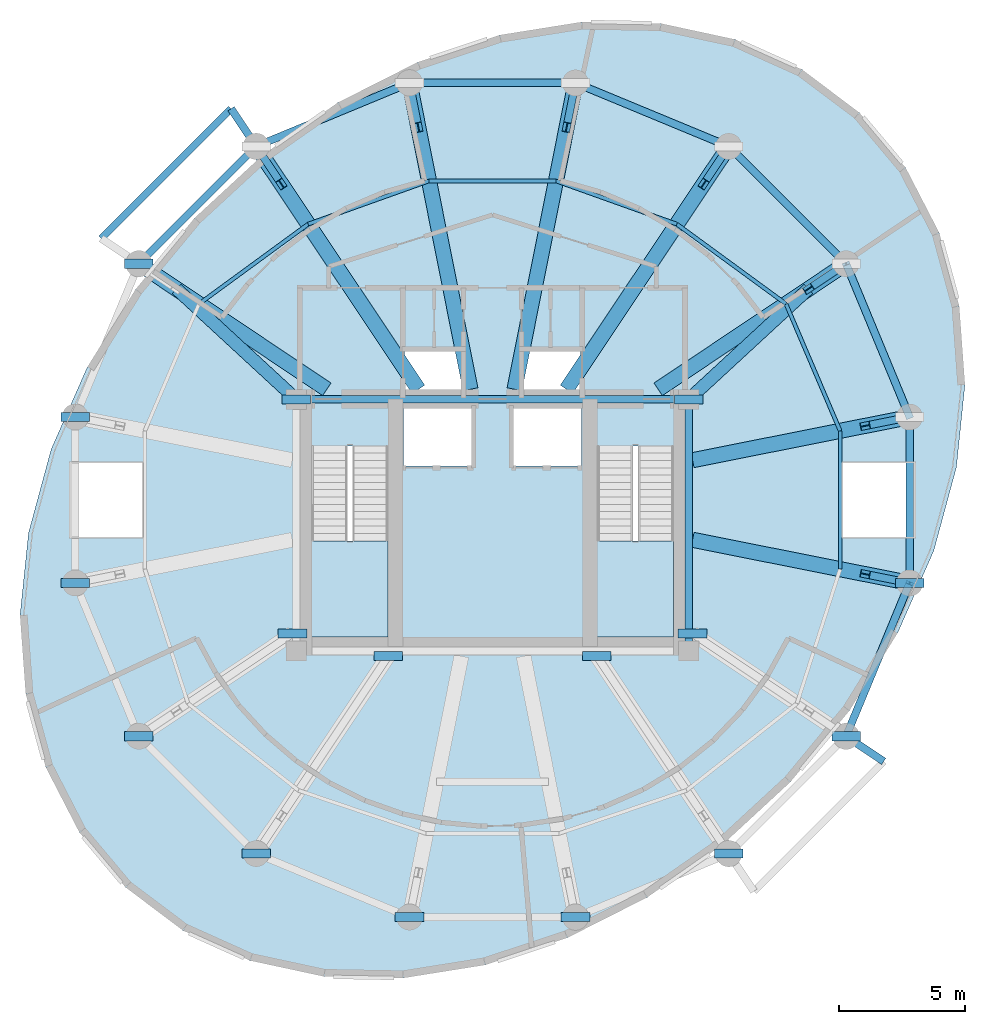
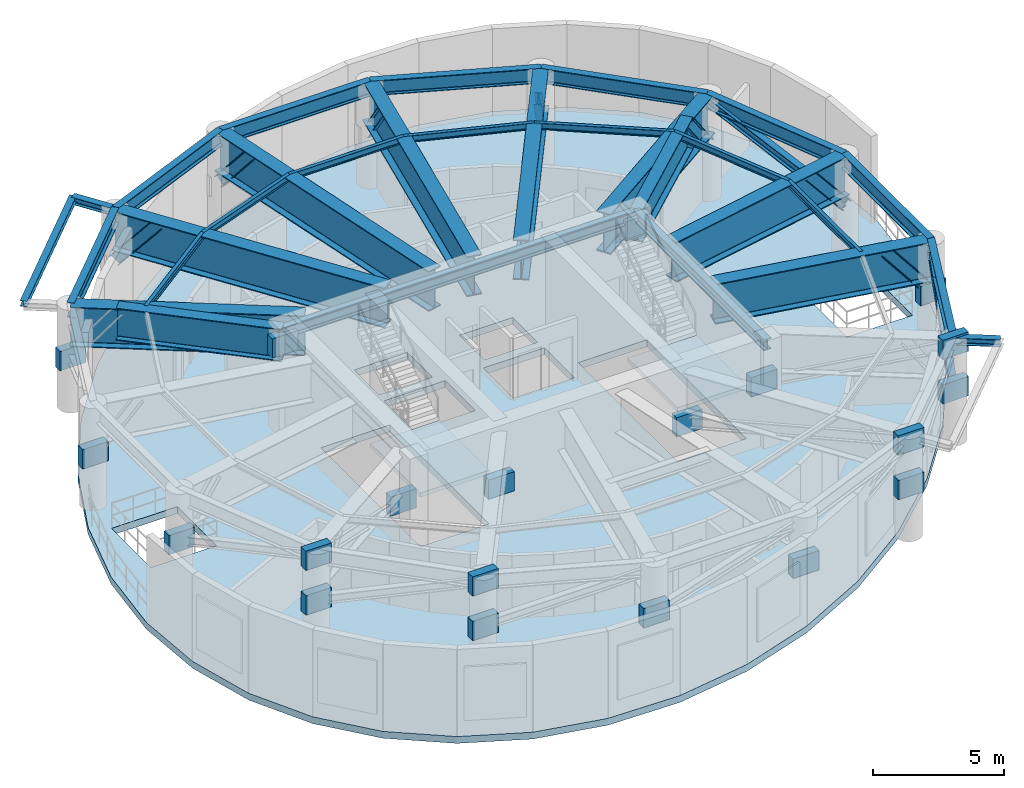
# One storey, part 2 of 7: 30 beams, 20 plates, 9 members, 3 slabs, 2 elements without a shape of their own.
"""IFC4 building model written with IfcOpenShell, lengths in metres."""

from ifc_helpers import new_model, si_unit, direction, frame, origin, origin_2d, place, context, subcontext, project, spatial, polyline, rectangle, i_section, outline, extrude, material, layer, layer_set, material_profile, profile_set, type_object, element, aggregate, save


model = new_model("IFC4")

# Units and contexts
model_context = context("Model", 3, precision=1e-05, world=origin(), true_north=direction((0.0, 1.0)))
body_context = subcontext(model_context, "Body", "Model", "MODEL_VIEW")
ifc_project = project(units=[si_unit("LENGTHUNIT", "METRE"), si_unit("AREAUNIT", "SQUARE_METRE"), si_unit("VOLUMEUNIT", "CUBIC_METRE"), si_unit("PLANEANGLEUNIT", "RADIAN"), si_unit("MASSUNIT", "GRAM", prefix="KILO"), si_unit("THERMODYNAMICTEMPERATUREUNIT", "KELVIN"), si_unit("POWERUNIT", "WATT")], contexts=[model_context])

# Site, building, storey
site_placement = place(None, origin())
site = spatial("IfcSite", under=ifc_project, at=site_placement, CompositionType="ELEMENT")
building_placement = place(site_placement, origin())
building = spatial("IfcBuilding", under=site, at=building_placement, Name="Ocrelia Relay Tower", CompositionType="ELEMENT")
storey_placement = place(building_placement, frame((0.0, 0.0, 225.39990234375)))
storey = spatial("IfcBuildingStorey", under=building, at=storey_placement, Name="L55", CompositionType="ELEMENT", Elevation=225.39990234375)

# Beams
ifc_material_1 = material(Name="Steel S355", Category="steel")
ifc_material_profile_1 = material_profile(ifc_material_1, i_section(OverallWidth=0.280029296875, OverallDepth=0.27001953125, WebThickness=0.008056640625, FlangeThickness=0.012939453125, FilletRadius=0.02392578125, at=origin_2d()), Name="HEA 280")
ifc_profile_set_1 = profile_set([ifc_material_profile_1], Name="Steel S355")
beam_type_1 = type_object("IfcBeamType", Name="BM-HEA280", PredefinedType="BEAM", material=ifc_profile_set_1)
beam_1_placement = place(storey_placement, frame((23.61083984375, 41.54833984375, 4.64501953125), z_axis=(-0.707106781187, -0.707106781187, 0.0), x_axis=(0.707106781187, -0.707106781187, 0.0)))
element("IfcBeam", 1, at=beam_1_placement, inside=storey, type_object=beam_type_1, Name="L56 Balcony Edge Trimmer Beam B1", PredefinedType="BEAM", context=body_context, shape_type="SweptSolid", body=[
    extrude(i_section(OverallWidth=0.280029296875, OverallDepth=0.27001953125, WebThickness=0.008056640625, FlangeThickness=0.012939453125, FilletRadius=0.02392578125, at=origin_2d()), origin(), (0.0, 0.0, 1.0), 7.296142578125),
])
ifc_material_profile_2 = material_profile(ifc_material_1, i_section(OverallWidth=0.300048828125, OverallDepth=0.330078125, WebThickness=0.009521484375, FlangeThickness=0.0166015625, FilletRadius=0.027099609375, at=origin_2d()), Name="HEA 340")
ifc_profile_set_2 = profile_set([ifc_material_profile_2], Name="Steel S355")
beam_type_2 = type_object("IfcBeamType", Name="BM-HEA340", PredefinedType="BEAM", material=ifc_profile_set_2)
for number, where, z_axis, x_axis, name in (
    (2, (24.61083984375, 40.0517578125, 4.614990234375), (-0.555576323502, 0.83146554274, 0.0), (-0.83146554274, -0.555576323502, 0.0), "L56 Balcony Cantilever Beam B1-1"),
    (3, (48.0517578125, 16.61083984375, 4.614990234375), (0.83146554274, -0.555576323502, 0.0), (0.555576323502, 0.83146554274, 0.0), "L56 Balcony Cantilever Beam B2-2"),
):
    element("IfcBeam", number, at=place(storey_placement, frame(where, z_axis=z_axis, x_axis=x_axis)), inside=storey, type_object=beam_type_2, Name=name, PredefinedType="BEAM", context=body_context, shape_type="SweptSolid", body=[
        extrude(i_section(OverallWidth=0.300048828125, OverallDepth=0.330078125, WebThickness=0.009521484375, FlangeThickness=0.0166015625, FilletRadius=0.027099609375, at=origin_2d()), origin(), (0.0, 0.0, 1.0), 1.800048828125),
    ])
ifc_material_profile_3 = material_profile(ifc_material_1, i_section(OverallWidth=0.300048828125, OverallDepth=0.5, WebThickness=0.014404296875, FlangeThickness=0.028076171875, FilletRadius=0.027099609375, at=origin_2d()), Name="HEB 500")
ifc_profile_set_3 = profile_set([ifc_material_profile_3], Name="Steel S355")
beam_type_3 = type_object("IfcBeamType", Name="BM-HEB500", PredefinedType="BEAM", material=ifc_profile_set_3)
beam_2_placement = place(storey_placement, frame((26.199951171875, 30.0, 4.530029296875), z_axis=(1.0, 0.0, 0.0), x_axis=(0.0, 1.0, 0.0)))
element("IfcBeam", 4, at=beam_2_placement, inside=storey, type_object=beam_type_3, Name="L55 Core Pilaster Tie Beam N", PredefinedType="BEAM", context=body_context, shape_type="SweptSolid", body=[
    extrude(i_section(OverallWidth=0.300048828125, OverallDepth=0.5, WebThickness=0.014404296875, FlangeThickness=0.028076171875, FilletRadius=0.027099609375, at=origin_2d()), origin(), (0.0, 0.0, 1.0), 15.60009765625),
])
beam_3_placement = place(storey_placement, frame((41.800048828125, 20.0, 4.530029296875), z_axis=(0.0, 1.0, 0.0), x_axis=(-1.0, 0.0, 0.0)))
element("IfcBeam", 5, at=beam_3_placement, inside=storey, type_object=beam_type_3, Name="L55 Core Pilaster Tie Beam E", PredefinedType="BEAM", context=body_context, shape_type="SweptSolid", body=[
    extrude(i_section(OverallWidth=0.300048828125, OverallDepth=0.5, WebThickness=0.014404296875, FlangeThickness=0.028076171875, FilletRadius=0.027099609375, at=origin_2d()), origin(), (0.0, 0.0, 1.0), 10.0),
])
ifc_material_profile_4 = material_profile(ifc_material_1, i_section(OverallWidth=0.300048828125, OverallDepth=0.699951171875, WebThickness=0.01708984375, FlangeThickness=0.031982421875, FilletRadius=0.027099609375, at=origin_2d()), Name="HEB 700")
ifc_profile_set_4 = profile_set([ifc_material_profile_4], Name="Steel S355")
beam_type_4 = type_object("IfcBeamType", Name="BM-HEB700", PredefinedType="BEAM", material=ifc_profile_set_4)
for number, where, z_axis, x_axis, name in (
    (6, (50.5751953125, 29.297119140625, 4.43017578125), (-0.382687508402, 0.923877844151, 0.0), (-0.923877844151, -0.382687508402, 0.0), "L55 Perimeter Spandrel Beam S01"),
    (7, (48.0517578125, 35.38916015625, 4.43017578125), (-0.707106781187, 0.707106781187, 0.0), (-0.707106781187, -0.707106781187, 0.0), "L55 Perimeter Spandrel Beam S02"),
    (8, (43.38916015625, 40.0517578125, 4.43017578125), (-0.923877844151, 0.382687508402, 0.0), (-0.382687508402, -0.923877844151, 0.0), "L55 Perimeter Spandrel Beam S03"),
):
    element("IfcBeam", number, at=place(storey_placement, frame(where, z_axis=z_axis, x_axis=x_axis)), inside=storey, type_object=beam_type_4, Name=name, PredefinedType="BEAM", context=body_context, shape_type="SweptSolid", body=[
        extrude(i_section(OverallWidth=0.300048828125, OverallDepth=0.699951171875, WebThickness=0.01708984375, FlangeThickness=0.031982421875, FilletRadius=0.027099609375, at=origin_2d()), origin(), (0.0, 0.0, 1.0), 6.593994140625),
    ])
beam_4_placement = place(storey_placement, frame((37.297119140625, 42.5751953125, 4.43017578125), z_axis=(-1.0, 0.0, 0.0), x_axis=(0.0, -1.0, 0.0)))
element("IfcBeam", 9, at=beam_4_placement, inside=storey, type_object=beam_type_4, Name="L55 Perimeter Spandrel Beam S04", PredefinedType="BEAM", context=body_context, shape_type="SweptSolid", body=[
    extrude(i_section(OverallWidth=0.300048828125, OverallDepth=0.699951171875, WebThickness=0.01708984375, FlangeThickness=0.031982421875, FilletRadius=0.027099609375, at=origin_2d()), origin(), (0.0, 0.0, 1.0), 6.59423828125),
])
for number, where, z_axis, x_axis, name in (
    (10, (30.702880859375, 42.5751953125, 4.43017578125), (-0.923877844151, -0.382687508402, 0.0), (0.382687508402, -0.923877844151, 0.0), "L55 Perimeter Spandrel Beam S05"),
    (11, (24.61083984375, 40.0517578125, 4.43017578125), (-0.707106781187, -0.707106781187, 0.0), (0.707106781187, -0.707106781187, 0.0), "L55 Perimeter Spandrel Beam S06"),
    (12, (48.0517578125, 16.61083984375, 4.43017578125), (0.382687508402, 0.923877844151, 0.0), (-0.923877844151, 0.382687508402, 0.0), "L55 Perimeter Spandrel Beam S15"),
):
    element("IfcBeam", number, at=place(storey_placement, frame(where, z_axis=z_axis, x_axis=x_axis)), inside=storey, type_object=beam_type_4, Name=name, PredefinedType="BEAM", context=body_context, shape_type="SweptSolid", body=[
        extrude(i_section(OverallWidth=0.300048828125, OverallDepth=0.699951171875, WebThickness=0.01708984375, FlangeThickness=0.031982421875, FilletRadius=0.027099609375, at=origin_2d()), origin(), (0.0, 0.0, 1.0), 6.593994140625),
    ])
beam_5_placement = place(storey_placement, frame((50.5751953125, 22.702880859375, 4.43017578125), z_axis=(0.0, 1.0, 0.0), x_axis=(-1.0, 0.0, 0.0)))
element("IfcBeam", 13, at=beam_5_placement, inside=storey, type_object=beam_type_4, Name="L55 Perimeter Spandrel Beam S16", PredefinedType="BEAM", context=body_context, shape_type="SweptSolid", body=[
    extrude(i_section(OverallWidth=0.300048828125, OverallDepth=0.699951171875, WebThickness=0.01708984375, FlangeThickness=0.031982421875, FilletRadius=0.027099609375, at=origin_2d()), origin(), (0.0, 0.0, 1.0), 6.59423828125),
])
ifc_material_profile_5 = material_profile(ifc_material_1, i_section(OverallWidth=0.14990234375, OverallDepth=0.300048828125, WebThickness=0.007080078125, FlangeThickness=0.0107421875, FilletRadius=0.014892578125, at=origin_2d()), Name="IPE 300")
ifc_profile_set_5 = profile_set([ifc_material_profile_5], Name="Steel S355")
beam_type_5 = type_object("IfcBeamType", Name="BM-IPE300", PredefinedType="JOIST", material=ifc_profile_set_5)
beam_6_placement = place(storey_placement, frame((47.815185546875, 28.748046875, 4.630126953125), z_axis=(-0.392484377372, 0.919758671347, 0.0), x_axis=(-0.919758671347, -0.392484377372, 0.0)))
element("IfcBeam", 14, at=beam_6_placement, inside=storey, type_object=beam_type_5, Name="L55 Secondary Floor Joist J01", PredefinedType="JOIST", context=body_context, shape_type="SweptSolid", body=[
    extrude(i_section(OverallWidth=0.14990234375, OverallDepth=0.300048828125, WebThickness=0.007080078125, FlangeThickness=0.0107421875, FilletRadius=0.014892578125, at=origin_2d()), origin(), (0.0, 0.0, 1.0), 5.484619140625),
])
beam_7_placement = place(storey_placement, frame((45.66259765625, 33.79248046875, 4.630126953125), z_axis=(-0.807285369017, 0.590161277085, 0.0), x_axis=(-0.590161277085, -0.807285369017, 0.0)))
element("IfcBeam", 15, at=beam_7_placement, inside=storey, type_object=beam_type_5, Name="L55 Secondary Floor Joist J02", PredefinedType="JOIST", context=body_context, shape_type="SweptSolid", body=[
    extrude(i_section(OverallWidth=0.14990234375, OverallDepth=0.300048828125, WebThickness=0.007080078125, FlangeThickness=0.0107421875, FilletRadius=0.014892578125, at=origin_2d()), origin(), (0.0, 0.0, 1.0), 5.37255859375),
])
beam_8_placement = place(storey_placement, frame((41.325439453125, 36.963134765625, 4.630126953125), z_axis=(-0.941708337696, 0.336430389106, 0.0), x_axis=(-0.336430389106, -0.941708337696, 0.0)))
element("IfcBeam", 16, at=beam_8_placement, inside=storey, type_object=beam_type_5, Name="L55 Secondary Floor Joist J03", PredefinedType="JOIST", context=body_context, shape_type="SweptSolid", body=[
    extrude(i_section(OverallWidth=0.14990234375, OverallDepth=0.300048828125, WebThickness=0.007080078125, FlangeThickness=0.0107421875, FilletRadius=0.014892578125, at=origin_2d()), origin(), (0.0, 0.0, 1.0), 5.100830078125),
])
beam_9_placement = place(storey_placement, frame((36.52197265625, 38.67919921875, 4.630126953125), z_axis=(-1.0, 0.0, 0.0), x_axis=(0.0, -1.0, 0.0)))
element("IfcBeam", 17, at=beam_9_placement, inside=storey, type_object=beam_type_5, Name="L55 Secondary Floor Joist J04", PredefinedType="JOIST", context=body_context, shape_type="SweptSolid", body=[
    extrude(i_section(OverallWidth=0.14990234375, OverallDepth=0.300048828125, WebThickness=0.007080078125, FlangeThickness=0.0107421875, FilletRadius=0.014892578125, at=origin_2d()), origin(), (0.0, 0.0, 1.0), 5.0439453125),
])
beam_10_placement = place(storey_placement, frame((31.47802734375, 38.67919921875, 4.630126953125), z_axis=(-0.941708337696, -0.336430389106, 0.0), x_axis=(0.336430389106, -0.941708337696, 0.0)))
element("IfcBeam", 18, at=beam_10_placement, inside=storey, type_object=beam_type_5, Name="L55 Secondary Floor Joist J05", PredefinedType="JOIST", context=body_context, shape_type="SweptSolid", body=[
    extrude(i_section(OverallWidth=0.14990234375, OverallDepth=0.300048828125, WebThickness=0.007080078125, FlangeThickness=0.0107421875, FilletRadius=0.014892578125, at=origin_2d()), origin(), (0.0, 0.0, 1.0), 5.100830078125),
])
beam_11_placement = place(storey_placement, frame((26.674560546875, 36.963134765625, 4.630126953125), z_axis=(-0.807285369017, -0.590161277085, 0.0), x_axis=(0.590161277085, -0.807285369017, 0.0)))
element("IfcBeam", 19, at=beam_11_placement, inside=storey, type_object=beam_type_5, Name="L55 Secondary Floor Joist J06", PredefinedType="JOIST", context=body_context, shape_type="SweptSolid", body=[
    extrude(i_section(OverallWidth=0.14990234375, OverallDepth=0.300048828125, WebThickness=0.007080078125, FlangeThickness=0.0107421875, FilletRadius=0.014892578125, at=origin_2d()), origin(), (0.0, 0.0, 1.0), 5.37255859375),
])
beam_12_placement = place(storey_placement, frame((47.815185546875, 23.251953125, 4.630126953125), z_axis=(0.0, 1.0, 0.0), x_axis=(-1.0, 0.0, 0.0)))
element("IfcBeam", 20, at=beam_12_placement, inside=storey, type_object=beam_type_5, Name="L55 Secondary Floor Joist J16", PredefinedType="JOIST", context=body_context, shape_type="SweptSolid", body=[
    extrude(i_section(OverallWidth=0.14990234375, OverallDepth=0.300048828125, WebThickness=0.007080078125, FlangeThickness=0.0107421875, FilletRadius=0.014892578125, at=origin_2d()), origin(), (0.0, 0.0, 1.0), 5.49609375),
])
ifc_material_profile_6 = material_profile(ifc_material_1, i_section(OverallWidth=0.5, OverallDepth=1.5, WebThickness=0.02587890625, FlangeThickness=0.0380859375, FilletRadius=0.02001953125, at=origin_2d()), Name="WPG 1500x500")
ifc_profile_set_6 = profile_set([ifc_material_profile_6], Name="Steel S355")
beam_type_6 = type_object("IfcBeamType", Name="BM-WPG1500", PredefinedType="T_BEAM", material=ifc_profile_set_6)
for number, where, z_axis, x_axis, name in (
    (21, (46.55517578125, 34.38916015625, 4.030029296875), (-0.734817908666, -0.678264433023, 0.0), (0.678264433023, -0.734817908666, 0.0), "L55 Zone Setback Core Link Girder XL02"),
    (22, (21.44482421875, 34.38916015625, 4.030029296875), (0.734817908666, -0.678264433023, 0.0), (0.678264433023, 0.734817908666, 0.0), "L55 Zone Setback Core Link Girder XL07"),
):
    element("IfcBeam", number, at=place(storey_placement, frame(where, z_axis=z_axis, x_axis=x_axis)), inside=storey, type_object=beam_type_6, Name=name, PredefinedType="T_BEAM", context=body_context, shape_type="SweptSolid", body=[
        extrude(i_section(OverallWidth=0.5, OverallDepth=1.5, WebThickness=0.02587890625, FlangeThickness=0.0380859375, FilletRadius=0.02001953125, at=origin_2d()), origin(), (0.0, 0.0, 1.0), 6.47119140625),
    ])
ifc_material_profile_7 = material_profile(ifc_material_1, i_section(OverallWidth=0.60009765625, OverallDepth=1.85009765625, WebThickness=0.028076171875, FlangeThickness=0.0400390625, FilletRadius=0.02001953125, at=origin_2d()), Name="WPG 1850x600")
ifc_profile_set_7 = profile_set([ifc_material_profile_7], Name="Steel S355")
beam_type_7 = type_object("IfcBeamType", Name="BM-WPG1650", PredefinedType="T_BEAM", material=ifc_profile_set_7)
beam_13_placement = place(storey_placement, frame((50.5751953125, 29.297119140625, 3.85498046875), z_axis=(-0.980781960461, -0.19510701175, 0.0), x_axis=(0.19510701175, -0.980781960461, 0.0)))
element("IfcBeam", 23, at=beam_13_placement, inside=storey, type_object=beam_type_7, Name="L55 Radial Transfer Girder R01", PredefinedType="T_BEAM", context=body_context, shape_type="SweptSolid", body=[
    extrude(i_section(OverallWidth=0.60009765625, OverallDepth=1.85009765625, WebThickness=0.028076171875, FlangeThickness=0.0400390625, FilletRadius=0.02001953125, at=origin_2d()), origin(), (0.0, 0.0, 1.0), 8.794189453125),
])
beam_14_placement = place(storey_placement, frame((48.0517578125, 35.38916015625, 3.85498046875), z_axis=(-0.831455888957, -0.555590770909, 0.0), x_axis=(0.555590770909, -0.831455888957, 0.0)))
element("IfcBeam", 24, at=beam_14_placement, inside=storey, type_object=beam_type_7, Name="L55 Radial Transfer Girder R02", PredefinedType="T_BEAM", context=body_context, shape_type="SweptSolid", body=[
    extrude(i_section(OverallWidth=0.60009765625, OverallDepth=1.85009765625, WebThickness=0.028076171875, FlangeThickness=0.0400390625, FilletRadius=0.02001953125, at=origin_2d()), origin(), (0.0, 0.0, 1.0), 8.97998046875),
])
beam_15_placement = place(storey_placement, frame((43.38916015625, 40.0517578125, 3.85498046875), z_axis=(-0.555573515129, -0.831467419258, 0.0), x_axis=(0.831467419258, -0.555573515129, 0.0)))
element("IfcBeam", 25, at=beam_15_placement, inside=storey, type_object=beam_type_7, Name="L55 Radial Transfer Girder R03", PredefinedType="T_BEAM", context=body_context, shape_type="SweptSolid", body=[
    extrude(i_section(OverallWidth=0.60009765625, OverallDepth=1.85009765625, WebThickness=0.028076171875, FlangeThickness=0.0400390625, FilletRadius=0.02001953125, at=origin_2d()), origin(), (0.0, 0.0, 1.0), 11.608154296875),
])
for number, where, z_axis, x_axis, name in (
    (26, (37.297119140625, 42.5751953125, 3.85498046875), (-0.195094866923, -0.980784376354, 0.0), (0.980784376354, -0.195094866923, 0.0), "L55 Radial Transfer Girder R04"),
    (27, (30.702880859375, 42.5751953125, 3.85498046875), (0.195094866923, -0.980784376354, 0.0), (0.980784376354, 0.195094866923, 0.0), "L55 Radial Transfer Girder R05"),
):
    element("IfcBeam", number, at=place(storey_placement, frame(where, z_axis=z_axis, x_axis=x_axis)), inside=storey, type_object=beam_type_7, Name=name, PredefinedType="T_BEAM", context=body_context, shape_type="SweptSolid", body=[
        extrude(i_section(OverallWidth=0.60009765625, OverallDepth=1.85009765625, WebThickness=0.028076171875, FlangeThickness=0.0400390625, FilletRadius=0.02001953125, at=origin_2d()), origin(), (0.0, 0.0, 1.0), 12.413818359375),
    ])
beam_16_placement = place(storey_placement, frame((24.61083984375, 40.0517578125, 3.85498046875), z_axis=(0.555573515129, -0.831467419258, 0.0), x_axis=(0.831467419258, 0.555573515129, 0.0)))
element("IfcBeam", 28, at=beam_16_placement, inside=storey, type_object=beam_type_7, Name="L55 Radial Transfer Girder R06", PredefinedType="T_BEAM", context=body_context, shape_type="SweptSolid", body=[
    extrude(i_section(OverallWidth=0.60009765625, OverallDepth=1.85009765625, WebThickness=0.028076171875, FlangeThickness=0.0400390625, FilletRadius=0.02001953125, at=origin_2d()), origin(), (0.0, 0.0, 1.0), 11.608154296875),
])
beam_17_placement = place(storey_placement, frame((19.9482421875, 35.38916015625, 3.85498046875), z_axis=(0.831455888957, -0.555590770909, 0.0), x_axis=(0.555590770909, 0.831455888957, 0.0)))
element("IfcBeam", 29, at=beam_17_placement, inside=storey, type_object=beam_type_7, Name="L55 Radial Transfer Girder R07", PredefinedType="T_BEAM", context=body_context, shape_type="SweptSolid", body=[
    extrude(i_section(OverallWidth=0.60009765625, OverallDepth=1.85009765625, WebThickness=0.028076171875, FlangeThickness=0.0400390625, FilletRadius=0.02001953125, at=origin_2d()), origin(), (0.0, 0.0, 1.0), 8.97998046875),
])
beam_18_placement = place(storey_placement, frame((50.5751953125, 22.702880859375, 3.85498046875), z_axis=(-0.980781960461, 0.19510701175, 0.0), x_axis=(-0.19510701175, -0.980781960461, 0.0)))
element("IfcBeam", 30, at=beam_18_placement, inside=storey, type_object=beam_type_7, Name="L55 Radial Transfer Girder R16", PredefinedType="T_BEAM", context=body_context, shape_type="SweptSolid", body=[
    extrude(i_section(OverallWidth=0.60009765625, OverallDepth=1.85009765625, WebThickness=0.028076171875, FlangeThickness=0.0400390625, FilletRadius=0.02001953125, at=origin_2d()), origin(), (0.0, 0.0, 1.0), 8.794189453125),
])

# Members
ifc_material_profile_8 = material_profile(ifc_material_1, i_section(OverallWidth=0.300048828125, OverallDepth=0.39990234375, WebThickness=0.013427734375, FlangeThickness=0.02392578125, FilletRadius=0.027099609375, at=origin_2d()), Name="HEB 400")
ifc_profile_set_8 = profile_set([ifc_material_profile_8], Name="Steel S355")
member_type_1 = type_object("IfcMemberType", Name="MB-BELT-DIAG", PredefinedType="BRACE", material=ifc_profile_set_8)
for number, where, z_axis, x_axis, name in (
    (31, (50.5751953125, 29.297119140625, 2.35009765625), (-0.364959668918, 0.881079587704, 0.300837497986), (-0.923877844151, -0.382687508402, 0.0), "L55 Perimeter Belt Truss Diagonal B01"),
    (32, (48.0517578125, 16.61083984375, 2.35009765625), (0.364959668918, 0.881079587704, 0.300837497986), (-0.923877844151, 0.382687508402, 0.0), "L55 Perimeter Belt Truss Diagonal B15"),
):
    element("IfcMember", number, at=place(storey_placement, frame(where, z_axis=z_axis, x_axis=x_axis)), inside=storey, type_object=member_type_1, Name=name, PredefinedType="BRACE", context=body_context, shape_type="SweptSolid", body=[
        extrude(i_section(OverallWidth=0.300048828125, OverallDepth=0.39990234375, WebThickness=0.013427734375, FlangeThickness=0.02392578125, FilletRadius=0.027099609375, at=origin_2d()), origin(), (0.0, 0.0, 1.0), 6.914306640625),
    ])
ifc_material_profile_9 = material_profile(ifc_material_1, i_section(OverallWidth=0.300048828125, OverallDepth=0.5, WebThickness=0.014404296875, FlangeThickness=0.028076171875, FilletRadius=0.027099609375, at=origin_2d()), Name="HEB 500")
ifc_profile_set_9 = profile_set([ifc_material_profile_9], Name="Steel S355")
member_type_2 = type_object("IfcMemberType", Name="MB-RAKER-STRUT", PredefinedType="STRUT", material=ifc_profile_set_9)
member_1_placement = place(storey_placement, frame((50.5751953125, 29.297119140625, 2.35009765625), z_axis=(-0.624464945514, -0.124271201299, 0.771103235859), x_axis=(0.19517704197, -0.980768026746, 0.0)))
element("IfcMember", 33, at=member_1_placement, inside=storey, type_object=member_type_2, Name="L55 Zone Setback Raker Strut RS01", PredefinedType="STRUT", context=body_context, shape_type="SweptSolid", body=[
    extrude(i_section(OverallWidth=0.300048828125, OverallDepth=0.5, WebThickness=0.014404296875, FlangeThickness=0.028076171875, FilletRadius=0.027099609375, at=origin_2d()), origin(), (0.0, 0.0, 1.0), 2.8271484375),
])
for number, where, z_axis, x_axis, name in (
    (34, (48.0517578125, 35.38916015625, 2.35009765625), (-0.529391056498, -0.353733404146, 0.771114640044), (0.555576323502, -0.83146554274, 0.0), "L55 Zone Setback Raker Strut RS02"),
    (35, (43.38916015625, 40.0517578125, 2.35009765625), (-0.353733404146, -0.529391056498, 0.771114640044), (0.83146554274, -0.555576323502, 0.0), "L55 Zone Setback Raker Strut RS03"),
):
    element("IfcMember", number, at=place(storey_placement, frame(where, z_axis=z_axis, x_axis=x_axis)), inside=storey, type_object=member_type_2, Name=name, PredefinedType="STRUT", context=body_context, shape_type="SweptSolid", body=[
        extrude(i_section(OverallWidth=0.300048828125, OverallDepth=0.5, WebThickness=0.014404296875, FlangeThickness=0.028076171875, FilletRadius=0.027099609375, at=origin_2d()), origin(), (0.0, 0.0, 1.0), 2.826904296875),
    ])
for number, where, z_axis, x_axis, name in (
    (36, (37.297119140625, 42.5751953125, 2.35009765625), (-0.124271201299, -0.624464945514, 0.771103235859), (0.980768026746, -0.19517704197, 0.0), "L55 Zone Setback Raker Strut RS04"),
    (37, (30.702880859375, 42.5751953125, 2.35009765625), (0.124271201299, -0.624464945514, 0.771103235859), (0.980768026746, 0.19517704197, 0.0), "L55 Zone Setback Raker Strut RS05"),
):
    element("IfcMember", number, at=place(storey_placement, frame(where, z_axis=z_axis, x_axis=x_axis)), inside=storey, type_object=member_type_2, Name=name, PredefinedType="STRUT", context=body_context, shape_type="SweptSolid", body=[
        extrude(i_section(OverallWidth=0.300048828125, OverallDepth=0.5, WebThickness=0.014404296875, FlangeThickness=0.028076171875, FilletRadius=0.027099609375, at=origin_2d()), origin(), (0.0, 0.0, 1.0), 2.8271484375),
    ])
member_2_placement = place(storey_placement, frame((24.61083984375, 40.0517578125, 2.35009765625), z_axis=(0.353733404146, -0.529391056498, 0.771114640044), x_axis=(0.83146554274, 0.555576323502, 0.0)))
element("IfcMember", 38, at=member_2_placement, inside=storey, type_object=member_type_2, Name="L55 Zone Setback Raker Strut RS06", PredefinedType="STRUT", context=body_context, shape_type="SweptSolid", body=[
    extrude(i_section(OverallWidth=0.300048828125, OverallDepth=0.5, WebThickness=0.014404296875, FlangeThickness=0.028076171875, FilletRadius=0.027099609375, at=origin_2d()), origin(), (0.0, 0.0, 1.0), 2.826904296875),
])
member_3_placement = place(storey_placement, frame((50.5751953125, 22.702880859375, 2.35009765625), z_axis=(-0.624464945514, 0.124271201299, 0.771103235859), x_axis=(-0.19517704197, -0.980768026746, 0.0)))
element("IfcMember", 39, at=member_3_placement, inside=storey, type_object=member_type_2, Name="L55 Zone Setback Raker Strut RS16", PredefinedType="STRUT", context=body_context, shape_type="SweptSolid", body=[
    extrude(i_section(OverallWidth=0.300048828125, OverallDepth=0.5, WebThickness=0.014404296875, FlangeThickness=0.028076171875, FilletRadius=0.027099609375, at=origin_2d()), origin(), (0.0, 0.0, 1.0), 2.8271484375),
])

# Plates
ifc_layer_1 = layer(ifc_material_1, 0.035888671875, Name="Steel S355")
ifc_layer_set_1 = layer_set([ifc_layer_1], Name="Steel S355")
plate_type = type_object("IfcPlateType", Name="PL-NODE-ND-06", PredefinedType="USERDEFINED", material=ifc_layer_set_1)
for number, where, z_axis, x_axis, name in (
    (40, (41.800048828125, 30.0, 3.580078125), (0.0, 0.0, 1.0), (1.0, 0.0, 0.0), "L55 Core Link Cast-In Wall Plate ND-06 (02)"),
    (41, (26.199951171875, 30.0, 3.580078125), (0.0, 0.0, 1.0), (1.0, 0.0, 0.0), "L55 Core Link Cast-In Wall Plate ND-06 (07)"),
    (42, (19.9482421875, 16.61083984375, 3.980224609375), (0.0, 0.0, 1.0), (1.0, 0.0, 0.0), "L55 Outrigger Gusset Node ND-06 (10)"),
    (43, (26.050048828125, 20.68798828125, 1.900146484375), (0.0, 0.0, 1.0), (1.0, 0.0, 0.0), "L55 Outrigger Core Embed Node ND-06 (10)"),
    (44, (24.61083984375, 11.9482421875, 3.980224609375), (0.0, 0.0, 1.0), (1.0, 0.0, 0.0), "L55 Outrigger Gusset Node ND-06 (11)"),
    (45, (29.857421875, 19.800048828125, 1.900146484375), (0.0, 0.0, 1.0), (1.0, 0.0, 0.0), "L55 Outrigger Core Embed Node ND-06 (11)"),
    (46, (43.38916015625, 11.9482421875, 3.980224609375), (0.0, 0.0, 1.0), (1.0, 0.0, 0.0), "L55 Outrigger Gusset Node ND-06 (14)"),
    (47, (38.142578125, 19.800048828125, 1.900146484375), (0.0, 0.0, 1.0), (1.0, 0.0, 0.0), "L55 Outrigger Core Embed Node ND-06 (14)"),
    (48, (48.0517578125, 16.61083984375, 3.980224609375), (0.0, 0.0, 1.0), (1.0, 0.0, 0.0), "L55 Outrigger Gusset Node ND-06 (15)"),
    (49, (41.949951171875, 20.68798828125, 1.900146484375), (0.0, 0.0, 1.0), (1.0, 0.0, 0.0), "L55 Outrigger Core Embed Node ND-06 (15)"),
    (50, (19.9482421875, 35.38916015625, 1.900146484375), (0.0, 0.0, 1.0), (1.0, 0.0, 0.0), "L55 Setback Raker Lower Node ND-06 (07)"),
    (51, (17.4248046875, 29.297119140625, 1.900146484375), (0.0, 0.0, 1.0), (1.0, 0.0, 0.0), "L55 Setback Raker Lower Node ND-06 (08)"),
    (52, (17.4248046875, 22.702880859375, 1.900146484375), (0.0, 0.0, 1.0), (1.0, 0.0, 0.0), "L55 Setback Raker Lower Node ND-06 (09)"),
    (53, (19.9482421875, 16.61083984375, 1.900146484375), (0.0, 0.0, 1.0), (1.0, 0.0, 0.0), "L55 Setback Raker Lower Node ND-06 (10)"),
    (54, (24.61083984375, 11.9482421875, 1.900146484375), (0.0, 0.0, 1.0), (1.0, 0.0, 0.0), "L55 Setback Raker Lower Node ND-06 (11)"),
    (55, (30.702880859375, 9.4248046875, 1.900146484375), (0.0, 0.0, 1.0), (1.0, 0.0, 0.0), "L55 Setback Raker Lower Node ND-06 (12)"),
    (56, (37.297119140625, 9.4248046875, 1.900146484375), (0.0, 0.0, 1.0), (1.0, 0.0, 0.0), "L55 Setback Raker Lower Node ND-06 (13)"),
    (57, (43.38916015625, 11.9482421875, 1.900146484375), (0.0, 0.0, 1.0), (1.0, 0.0, 0.0), "L55 Setback Raker Lower Node ND-06 (14)"),
    (58, (48.0517578125, 16.61083984375, 1.900146484375), (0.0, 0.0, 1.0), (1.0, 0.0, 0.0), "L55 Setback Raker Lower Node ND-06 (15)"),
    (59, (50.5751953125, 22.702880859375, 1.900146484375), (0.0, 0.0, 1.0), (1.0, 0.0, 0.0), "L55 Setback Raker Lower Node ND-06 (16)"),
):
    element("IfcPlate", number, at=place(storey_placement, frame(where, z_axis=z_axis, x_axis=x_axis)), inside=storey, type_object=plate_type, Name=name, ObjectType="GUSSET PLATE", PredefinedType="USERDEFINED", context=body_context, shape_type="SweptSolid", body=[
        extrude(rectangle(XDim=1.139892578125, YDim=0.360107421875, at=origin_2d()), origin(), (0.0, 0.0, 1.0), 0.89990234375),
    ])

# Slab
ifc_material_2 = material(Name="Concrete C50/60", Category="concrete")
ifc_layer_2 = layer(ifc_material_2, 0.320068359375, Name="Concrete C50/60")
ifc_layer_set_2 = layer_set([ifc_layer_2], Name="Concrete C50/60")
slab_type_1 = type_object("IfcSlabType", Name="SL-FLR-320", PredefinedType="FLOOR", material=ifc_layer_set_2)
slab_1_placement = place(storey_placement, frame((0.0, 0.0, -0.31982421875)))
element("IfcSlab", 60, at=slab_1_placement, inside=storey, type_object=slab_type_1, Name="L55 Elliptical Tower Floor Slab", PredefinedType="FLOOR", context=body_context, shape_type="SweptSolid", body=[
    extrude(outline(polyline([(48.57958984375, 41.390625), (46.30322265625, 43.103515625), (43.6533203125, 44.29638671875), (40.709716796875, 44.93359375), (37.562255859375, 44.99560546875), (34.306640625, 44.480224609375), (31.041748046875, 43.4033203125), (27.86669921875, 41.797607421875), (24.878173828125, 39.712158203125), (22.16650390625, 37.2099609375), (19.814697265625, 34.366943359375), (17.893798828125, 31.27001953125), (16.462158203125, 28.0126953125), (15.5634765625, 24.6943359375), (15.22509765625, 21.41552734375), (15.456787109375, 18.276123046875), (16.252197265625, 15.37158203125), (17.5869140625, 12.789794921875), (19.42041015625, 10.609375), (21.69677734375, 8.896484375), (24.3466796875, 7.70361328125), (27.290283203125, 7.06640625), (30.437744140625, 7.00439453125), (33.693359375, 7.519775390625), (36.958251953125, 8.5966796875), (40.13330078125, 10.202392578125), (43.121826171875, 12.287841796875), (45.83349609375, 14.7900390625), (48.185302734375, 17.633056640625), (50.106201171875, 20.72998046875), (51.537841796875, 23.9873046875), (52.4365234375, 27.3056640625), (52.77490234375, 30.58447265625), (52.543212890625, 33.723876953125), (51.747802734375, 36.62841796875), (50.4130859375, 39.210205078125), (48.57958984375, 41.390625)]), holes=[polyline([(26.81005859375, 28.14990234375), (26.81005859375, 20.550048828125), (29.85009765625, 20.550048828125), (29.85009765625, 28.14990234375), (26.81005859375, 28.14990234375)]), polyline([(38.159912109375, 28.14990234375), (38.159912109375, 20.550048828125), (41.199951171875, 20.550048828125), (41.199951171875, 28.14990234375), (38.159912109375, 28.14990234375)]), polyline([(30.4599609375, 27.35009765625), (33.159912109375, 27.35009765625), (33.159912109375, 29.64990234375), (30.4599609375, 29.64990234375), (30.4599609375, 27.35009765625)]), polyline([(34.840087890625, 27.35009765625), (37.5400390625, 27.35009765625), (37.5400390625, 29.64990234375), (34.840087890625, 29.64990234375), (34.840087890625, 27.35009765625)]), polyline([(30.5, 30.10009765625), (32.85009765625, 30.10009765625), (32.85009765625, 32.0), (30.5, 32.0), (30.5, 30.10009765625)]), polyline([(35.14990234375, 30.10009765625), (37.5, 30.10009765625), (37.5, 32.0), (35.14990234375, 32.0), (35.14990234375, 30.10009765625)]), polyline([(17.199951171875, 24.5), (20.10009765625, 24.5), (20.10009765625, 27.5), (17.199951171875, 27.5), (17.199951171875, 24.5)]), polyline([(47.89990234375, 24.5), (50.800048828125, 24.5), (50.800048828125, 27.5), (47.89990234375, 27.5), (47.89990234375, 24.5)])]), origin(), (0.0, 0.0, 1.0), 0.31982421875),
])

# Stair, slab
stair_type = type_object("IfcStairType", Name="ST-DL-1420-R179", PredefinedType="HALF_TURN_STAIR", material=ifc_material_2)
stair_1_placement = place(storey_placement, origin())
stair_1 = element("IfcStair", 61, at=stair_1_placement, inside=storey, type_object=stair_type, Name="L55 West Core Exit Stair ST1", PredefinedType="HALF_TURN_STAIR")
ifc_layer_3 = layer(ifc_material_2, 0.199951171875, Name="Concrete C50/60")
ifc_layer_set_3 = layer_set([ifc_layer_3], Name="Concrete C50/60")
slab_type_2 = type_object("IfcSlabType", Name="SL-LANDING-200", PredefinedType="LANDING", material=ifc_layer_set_3)
slab_2_placement = place(storey_placement, frame((0.0, 0.0, 2.300048828125)))
slab_2 = element("IfcSlab", 62, at=slab_2_placement, type_object=slab_type_2, Name="ST1 landing 1", PredefinedType="LANDING", context=body_context, shape_type="SweptSolid", body=[
    extrude(outline(polyline([(26.81005859375, 24.3798828125), (26.81005859375, 20.550048828125), (29.85009765625, 20.550048828125), (29.85009765625, 24.3798828125), (26.81005859375, 24.3798828125)])), origin(), (0.0, 0.0, 1.0), 0.199951171875),
])
aggregate(stair_1, [slab_2])

stair_2_placement = place(storey_placement, origin())
stair_2 = element("IfcStair", 63, at=stair_2_placement, inside=storey, type_object=stair_type, Name="L55 East Core Exit Stair ST2", PredefinedType="HALF_TURN_STAIR")
slab_3_placement = place(storey_placement, frame((0.0, 0.0, 2.300048828125)))
slab_3 = element("IfcSlab", 64, at=slab_3_placement, type_object=slab_type_2, Name="ST2 landing 1", PredefinedType="LANDING", context=body_context, shape_type="SweptSolid", body=[
    extrude(outline(polyline([(38.159912109375, 24.3798828125), (38.159912109375, 20.550048828125), (41.199951171875, 20.550048828125), (41.199951171875, 24.3798828125), (38.159912109375, 24.3798828125)])), origin(), (0.0, 0.0, 1.0), 0.199951171875),
])
aggregate(stair_2, [slab_3])

save(model, "model.ifc")
